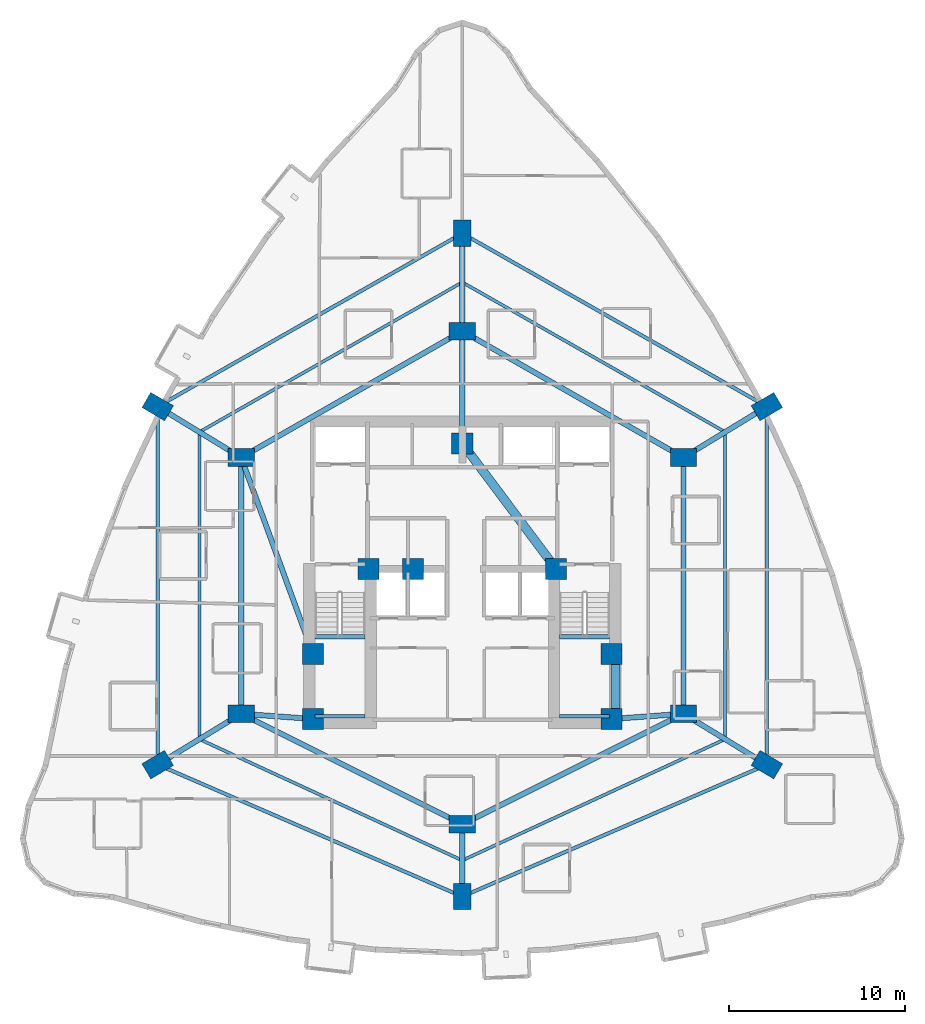
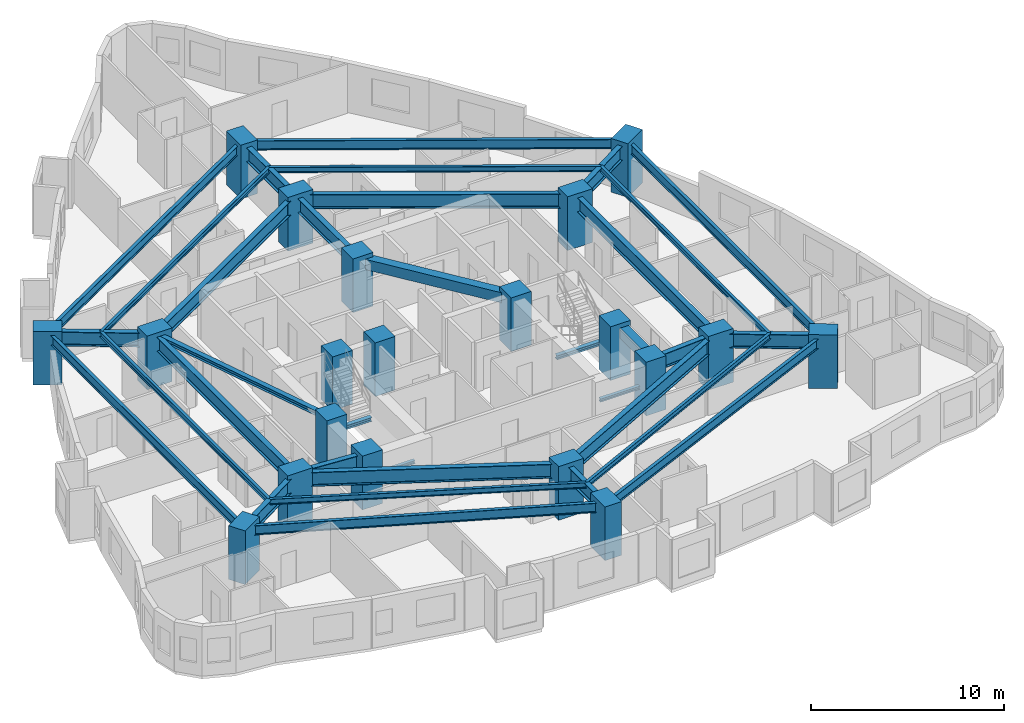
# One storey, part 1 of 15: 34 beams, 20 columns.
"""IFC4 building model written with IfcOpenShell, lengths in metres."""

from ifc_helpers import new_model, si_unit, direction, frame, origin, origin_2d, place, context, subcontext, project, spatial, rectangle, i_section, extrude, material, material_profile, profile_set, type_object, element, save


model = new_model("IFC4")

# Units and contexts
model_context = context("Model", 3, precision=1e-05, world=origin(), true_north=direction((0.0, 1.0)))
body_context = subcontext(model_context, "Body", "Model", "MODEL_VIEW")
ifc_project = project(units=[si_unit("LENGTHUNIT", "METRE"), si_unit("AREAUNIT", "SQUARE_METRE"), si_unit("VOLUMEUNIT", "CUBIC_METRE"), si_unit("PLANEANGLEUNIT", "RADIAN"), si_unit("MASSUNIT", "GRAM", prefix="KILO")], contexts=[model_context])

# Site, building, storey
site_placement = place(None, origin())
site = spatial("IfcSite", under=ifc_project, at=site_placement, CompositionType="ELEMENT")
building_placement = place(site_placement, origin())
building = spatial("IfcBuilding", under=site, at=building_placement, Name="Miruveldt Soraemaru", CompositionType="ELEMENT")
storey_placement = place(building_placement, frame((0.0, 0.0, 32.60009765625)))
storey = spatial("IfcBuildingStorey", under=building, at=storey_placement, Name="L08", CompositionType="ELEMENT", Elevation=32.60009765625)

# Columns
ifc_material_1 = material(Name="Concrete C70/85 (70 MPa)", Category="concrete")
ifc_material_profile_1 = material_profile(ifc_material_1, rectangle(XDim=1.199951171875, YDim=1.199951171875, at=origin_2d()), Name="Concrete C70/85 (70 MPa)", Category="concrete")
ifc_profile_set_1 = profile_set([ifc_material_profile_1], Name="Concrete C70/85 (70 MPa)")
column_type_1 = type_object("IfcColumnType", Name="COL-CORE-1200", PredefinedType="COLUMN", material=ifc_profile_set_1)
for number, where, z_axis, x_axis, name in (
    (1, (35.5, 35.5, 0.0), (0.0, 0.0, 1.0), (1.0, 0.0, 0.0), "L08 Structural Column CC1"),
    (2, (38.64990234375, 44.050048828125, 0.0), (0.0, 0.0, 1.0), (1.0, 0.0, 0.0), "L08 Structural Column CC2"),
    (3, (52.5, 35.5, 0.0), (0.0, 0.0, 1.0), (1.0, 0.0, 0.0), "L08 Structural Column CC3"),
    (4, (52.5, 39.199951171875, 0.0), (0.0, 0.0, 1.0), (1.0, 0.0, 0.0), "L08 Structural Column CC4"),
    (5, (49.35009765625, 44.050048828125, 0.0), (0.0, 0.0, 1.0), (1.0, 0.0, 0.0), "L08 Structural Column CC5"),
    (6, (44.0, 51.199951171875, 0.0), (0.0, 0.0, 1.0), (1.0, 0.0, 0.0), "L08 Structural Column CC6"),
    (7, (35.5, 39.199951171875, 0.0), (0.0, 0.0, 1.0), (1.0, 0.0, 0.0), "L08 Structural Column CC7"),
    (8, (41.199951171875, 44.050048828125, 0.0), (0.0, 0.0, 1.0), (1.0, 0.0, 0.0), "L08 Structural Column CC8"),
):
    element("IfcColumn", number, at=place(storey_placement, frame(where, z_axis=z_axis, x_axis=x_axis)), inside=storey, type_object=column_type_1, Name=name, PredefinedType="COLUMN", context=body_context, shape_type="SweptSolid", body=[
        extrude(rectangle(XDim=1.199951171875, YDim=1.199951171875, at=origin_2d()), origin(), (0.0, 0.0, 1.0), 3.39990234375),
    ])
ifc_material_2 = material(Name="Concrete C80/95 (80 MPa)", Category="concrete")
ifc_material_profile_2 = material_profile(ifc_material_2, rectangle(XDim=1.5, YDim=1.0, at=origin_2d()), Name="Concrete C80/95 (80 MPa)", Category="concrete")
ifc_profile_set_2 = profile_set([ifc_material_profile_2], Name="Concrete C80/95 (80 MPa)")
column_type_2 = type_object("IfcColumnType", Name="COL-TW-Z1A", PredefinedType="COLUMN", material=ifc_profile_set_2)
for number, where, z_axis, x_axis, name in (
    (9, (44.0, 57.60009765625, 0.0), (0.0, 0.0, 1.0), (1.0, 0.0, 0.0), "L08 Structural Column IR01"),
    (10, (56.60009765625, 50.39990234375, 0.0), (0.0, 0.0, 1.0), (1.0, 0.0, 0.0), "L08 Structural Column IR02"),
    (11, (56.60009765625, 35.800048828125, 0.0), (0.0, 0.0, 1.0), (1.0, 0.0, 0.0), "L08 Structural Column IR03"),
    (12, (44.0, 29.5, 0.0), (0.0, 0.0, 1.0), (1.0, 0.0, 0.0), "L08 Structural Column IR04"),
    (13, (31.39990234375, 35.800048828125, 0.0), (0.0, 0.0, 1.0), (1.0, 0.0, 0.0), "L08 Structural Column IR05"),
    (14, (31.39990234375, 50.39990234375, 0.0), (0.0, 0.0, 1.0), (1.0, 0.0, 0.0), "L08 Structural Column IR06"),
    (15, (44.0, 63.16796875, 0.0), (0.0, 0.0, 1.0), (0.0, 1.0, 0.0), "L08 Structural Column Z1P01"),
    (16, (61.35595703125, 53.300048828125, 0.0), (0.0, 0.0, 1.0), (0.864274801954, 0.50301994663, 0.0), "L08 Structural Column Z1P02"),
    (17, (61.35595703125, 32.89990234375, 0.0), (0.0, 0.0, 1.0), (-0.859852271597, 0.510542917912, 0.0), "L08 Structural Column Z1P03"),
    (18, (44.0, 25.382080078125, 0.0), (0.0, 0.0, 1.0), (0.0, 1.0, 0.0), "L08 Structural Column Z1P04"),
    (19, (26.64404296875, 32.89990234375, 0.0), (0.0, 0.0, 1.0), (0.859852271597, 0.510542917912, 0.0), "L08 Structural Column Z1P05"),
    (20, (26.64404296875, 53.300048828125, 0.0), (0.0, 0.0, 1.0), (-0.864274801954, 0.50301994663, 0.0), "L08 Structural Column Z1P06"),
):
    element("IfcColumn", number, at=place(storey_placement, frame(where, z_axis=z_axis, x_axis=x_axis)), inside=storey, type_object=column_type_2, Name=name, PredefinedType="COLUMN", context=body_context, shape_type="SweptSolid", body=[
        extrude(rectangle(XDim=1.5, YDim=1.0, at=origin_2d()), origin(), (0.0, 0.0, 1.0), 3.39990234375),
    ])

# Beams
ifc_material_3 = material(Name="Steel SM355 (355 MPa)", Category="steel")
ifc_material_profile_3 = material_profile(ifc_material_3, i_section(OverallWidth=0.300048828125, OverallDepth=0.300048828125, WebThickness=0.010009765625, FlangeThickness=0.014892578125, FilletRadius=0.01806640625, at=origin_2d()), Name="Steel SM355 (355 MPa)", Category="steel")
ifc_profile_set_3 = profile_set([ifc_material_profile_3], Name="Steel SM355 (355 MPa)")
beam_type_1 = type_object("IfcBeamType", Name="BM-LNT-H300", PredefinedType="LINTEL", material=ifc_profile_set_3)
beam_1_placement = place(storey_placement, frame((31.39990234375, 50.39990234375, 2.974853515625), z_axis=(0.343770424598, -0.939053723262, 0.0), x_axis=(0.939053723262, 0.343770424598, 0.0)))
element("IfcBeam", 21, at=beam_1_placement, inside=storey, type_object=beam_type_1, Name="L08 West Lobby Lintel", PredefinedType="LINTEL", context=body_context, shape_type="SweptSolid", body=[
    extrude(i_section(OverallWidth=0.300048828125, OverallDepth=0.300048828125, WebThickness=0.010009765625, FlangeThickness=0.014892578125, FilletRadius=0.01806640625, at=origin_2d()), origin(), (0.0, 0.0, 1.0), 11.9267578125),
])
ifc_material_4 = material(Name="Concrete C50/60 (50 MPa)", Category="concrete")
ifc_material_profile_4 = material_profile(ifc_material_4, rectangle(XDim=0.5, YDim=0.64990234375, at=origin_2d()), Name="Concrete C50/60 (50 MPa)", Category="concrete")
ifc_profile_set_4 = profile_set([ifc_material_profile_4], Name="Concrete C50/60 (50 MPa)")
beam_type_2 = type_object("IfcBeamType", Name="BM-RC-500x650", PredefinedType="BEAM", material=ifc_profile_set_4)
beam_2_placement = place(storey_placement, frame((52.72998046875, 35.5, 2.7998046875), z_axis=(0.0, 1.0, 0.0), x_axis=(-1.0, 0.0, 0.0)))
element("IfcBeam", 22, at=beam_2_placement, inside=storey, type_object=beam_type_2, Name="L08 Core Tie Beam 3", PredefinedType="BEAM", context=body_context, shape_type="SweptSolid", body=[
    extrude(rectangle(XDim=0.5, YDim=0.64990234375, at=origin_2d()), origin(), (0.0, 0.0, 1.0), 3.699951171875),
])
beam_3_placement = place(storey_placement, frame((49.35009765625, 44.050048828125, 2.7998046875), z_axis=(-0.599116023999, 0.800662219533, 0.0), x_axis=(-0.800662219533, -0.599116023999, 0.0)))
element("IfcBeam", 23, at=beam_3_placement, inside=storey, type_object=beam_type_2, Name="L08 Core Tie Beam 5", PredefinedType="BEAM", context=body_context, shape_type="SweptSolid", body=[
    extrude(rectangle(XDim=0.5, YDim=0.64990234375, at=origin_2d()), origin(), (0.0, 0.0, 1.0), 8.929931640625),
])
ifc_material_profile_5 = material_profile(ifc_material_3, i_section(OverallWidth=0.175048828125, OverallDepth=0.35009765625, WebThickness=0.007080078125, FlangeThickness=0.010986328125, FilletRadius=0.013916015625, at=origin_2d()), Name="Steel SM355 (355 MPa)", Category="steel")
ifc_profile_set_5 = profile_set([ifc_material_profile_5], Name="Steel SM355 (355 MPa)")
beam_type_3 = type_object("IfcBeamType", Name="BM-ST-H350", PredefinedType="JOIST", material=ifc_profile_set_5)
beam_4_placement = place(storey_placement, frame((44.0, 60.384033203125, 2.949951171875), z_axis=(0.868865604585, -0.495048039254, 0.0), x_axis=(0.495048039254, 0.868865604585, 0.0)))
element("IfcBeam", 24, at=beam_4_placement, inside=storey, type_object=beam_type_3, Name="L08 Outer Bay Floor Joist 1", PredefinedType="JOIST", context=body_context, shape_type="SweptSolid", body=[
    extrude(i_section(OverallWidth=0.175048828125, OverallDepth=0.35009765625, WebThickness=0.007080078125, FlangeThickness=0.010986328125, FilletRadius=0.013916015625, at=origin_2d()), origin(), (0.0, 0.0, 1.0), 17.238525390625),
])
beam_5_placement = place(storey_placement, frame((58.97802734375, 51.85009765625, 2.949951171875), z_axis=(0.0, -1.0, 0.0), x_axis=(1.0, 0.0, 0.0)))
element("IfcBeam", 25, at=beam_5_placement, inside=storey, type_object=beam_type_3, Name="L08 Outer Bay Floor Joist 2", PredefinedType="JOIST", context=body_context, shape_type="SweptSolid", body=[
    extrude(i_section(OverallWidth=0.175048828125, OverallDepth=0.35009765625, WebThickness=0.007080078125, FlangeThickness=0.010986328125, FilletRadius=0.013916015625, at=origin_2d()), origin(), (0.0, 0.0, 1.0), 17.5),
])
for number, where, z_axis, x_axis, name in (
    (26, (58.97802734375, 34.35009765625, 2.949951171875), (-0.908046005539, -0.418870447543, 0.0), (0.418870447543, -0.908046005539, 0.0), "L08 Outer Bay Floor Joist 3"),
    (27, (44.0, 27.44091796875, 2.949951171875), (-0.908046005539, 0.418870447543, 0.0), (-0.418870447543, -0.908046005539, 0.0), "L08 Outer Bay Floor Joist 4"),
):
    element("IfcBeam", number, at=place(storey_placement, frame(where, z_axis=z_axis, x_axis=x_axis)), inside=storey, type_object=beam_type_3, Name=name, PredefinedType="JOIST", context=body_context, shape_type="SweptSolid", body=[
        extrude(i_section(OverallWidth=0.175048828125, OverallDepth=0.35009765625, WebThickness=0.007080078125, FlangeThickness=0.010986328125, FilletRadius=0.013916015625, at=origin_2d()), origin(), (0.0, 0.0, 1.0), 16.494873046875),
    ])
beam_6_placement = place(storey_placement, frame((29.02197265625, 34.35009765625, 2.949951171875), z_axis=(0.0, 1.0, 0.0), x_axis=(-1.0, 0.0, 0.0)))
element("IfcBeam", 28, at=beam_6_placement, inside=storey, type_object=beam_type_3, Name="L08 Outer Bay Floor Joist 5", PredefinedType="JOIST", context=body_context, shape_type="SweptSolid", body=[
    extrude(i_section(OverallWidth=0.175048828125, OverallDepth=0.35009765625, WebThickness=0.007080078125, FlangeThickness=0.010986328125, FilletRadius=0.013916015625, at=origin_2d()), origin(), (0.0, 0.0, 1.0), 17.5),
])
beam_7_placement = place(storey_placement, frame((29.02197265625, 51.85009765625, 2.949951171875), z_axis=(0.868865604585, 0.495048039254, 0.0), x_axis=(-0.495048039254, 0.868865604585, 0.0)))
element("IfcBeam", 29, at=beam_7_placement, inside=storey, type_object=beam_type_3, Name="L08 Outer Bay Floor Joist 6", PredefinedType="JOIST", context=body_context, shape_type="SweptSolid", body=[
    extrude(i_section(OverallWidth=0.175048828125, OverallDepth=0.35009765625, WebThickness=0.007080078125, FlangeThickness=0.010986328125, FilletRadius=0.013916015625, at=origin_2d()), origin(), (0.0, 0.0, 1.0), 17.238525390625),
])
ifc_material_profile_6 = material_profile(ifc_material_3, i_section(OverallWidth=0.199951171875, OverallDepth=0.60009765625, WebThickness=0.010986328125, FlangeThickness=0.01708984375, FilletRadius=0.02197265625, at=origin_2d()), Name="Steel SM355 (355 MPa)", Category="steel")
ifc_profile_set_6 = profile_set([ifc_material_profile_6], Name="Steel SM355 (355 MPa)")
beam_type_4 = type_object("IfcBeamType", Name="BM-ST-H600", PredefinedType="SPANDREL", material=ifc_profile_set_6)
beam_8_placement = place(storey_placement, frame((44.0, 63.16796875, 2.824951171875), z_axis=(0.869314947608, -0.494258557706, 0.0), x_axis=(0.494258557706, 0.869314947608, 0.0)))
element("IfcBeam", 30, at=beam_8_placement, inside=storey, type_object=beam_type_4, Name="L08 Zone-1 Spandrel Beam 1", PredefinedType="SPANDREL", context=body_context, shape_type="SweptSolid", body=[
    extrude(i_section(OverallWidth=0.199951171875, OverallDepth=0.60009765625, WebThickness=0.010986328125, FlangeThickness=0.01708984375, FilletRadius=0.02197265625, at=origin_2d()), origin(), (0.0, 0.0, 1.0), 19.965087890625),
])
beam_9_placement = place(storey_placement, frame((61.35595703125, 53.300048828125, 2.824951171875), z_axis=(0.0, -1.0, 0.0), x_axis=(1.0, 0.0, 0.0)))
element("IfcBeam", 31, at=beam_9_placement, inside=storey, type_object=beam_type_4, Name="L08 Zone-1 Spandrel Beam 2", PredefinedType="SPANDREL", context=body_context, shape_type="SweptSolid", body=[
    extrude(i_section(OverallWidth=0.199951171875, OverallDepth=0.60009765625, WebThickness=0.010986328125, FlangeThickness=0.01708984375, FilletRadius=0.02197265625, at=origin_2d()), origin(), (0.0, 0.0, 1.0), 20.400146484375),
])
for number, where, z_axis, x_axis, name in (
    (32, (61.35595703125, 32.89990234375, 2.824951171875), (-0.917615263736, -0.397469782195, 0.0), (0.397469782195, -0.917615263736, 0.0), "L08 Zone-1 Spandrel Beam 3"),
    (33, (44.0, 25.382080078125, 2.824951171875), (-0.917615263736, 0.397469782195, 0.0), (-0.397469782195, -0.917615263736, 0.0), "L08 Zone-1 Spandrel Beam 4"),
):
    element("IfcBeam", number, at=place(storey_placement, frame(where, z_axis=z_axis, x_axis=x_axis)), inside=storey, type_object=beam_type_4, Name=name, PredefinedType="SPANDREL", context=body_context, shape_type="SweptSolid", body=[
        extrude(i_section(OverallWidth=0.199951171875, OverallDepth=0.60009765625, WebThickness=0.010986328125, FlangeThickness=0.01708984375, FilletRadius=0.02197265625, at=origin_2d()), origin(), (0.0, 0.0, 1.0), 18.914306640625),
    ])
beam_10_placement = place(storey_placement, frame((26.64404296875, 32.89990234375, 2.824951171875), z_axis=(0.0, 1.0, 0.0), x_axis=(-1.0, 0.0, 0.0)))
element("IfcBeam", 34, at=beam_10_placement, inside=storey, type_object=beam_type_4, Name="L08 Zone-1 Spandrel Beam 5", PredefinedType="SPANDREL", context=body_context, shape_type="SweptSolid", body=[
    extrude(i_section(OverallWidth=0.199951171875, OverallDepth=0.60009765625, WebThickness=0.010986328125, FlangeThickness=0.01708984375, FilletRadius=0.02197265625, at=origin_2d()), origin(), (0.0, 0.0, 1.0), 20.400146484375),
])
beam_11_placement = place(storey_placement, frame((26.64404296875, 53.300048828125, 2.824951171875), z_axis=(0.869314947608, 0.494258557706, 0.0), x_axis=(-0.494258557706, 0.869314947608, 0.0)))
element("IfcBeam", 35, at=beam_11_placement, inside=storey, type_object=beam_type_4, Name="L08 Zone-1 Spandrel Beam 6", PredefinedType="SPANDREL", context=body_context, shape_type="SweptSolid", body=[
    extrude(i_section(OverallWidth=0.199951171875, OverallDepth=0.60009765625, WebThickness=0.010986328125, FlangeThickness=0.01708984375, FilletRadius=0.02197265625, at=origin_2d()), origin(), (0.0, 0.0, 1.0), 19.965087890625),
])
ifc_material_5 = material(Name="Steel S460 (460 MPa)", Category="steel")
ifc_material_profile_7 = material_profile(ifc_material_5, i_section(OverallWidth=0.300048828125, OverallDepth=0.89990234375, WebThickness=0.01611328125, FlangeThickness=0.028076171875, FilletRadius=0.028076171875, at=origin_2d()), Name="Steel S460 (460 MPa)", Category="steel")
ifc_profile_set_7 = profile_set([ifc_material_profile_7], Name="Steel S460 (460 MPa)")
beam_type_5 = type_object("IfcBeamType", Name="BM-ST-H900", PredefinedType="BEAM", material=ifc_profile_set_7)
beam_12_placement = place(storey_placement, frame((44.0, 57.60009765625, 2.6748046875), z_axis=(0.868239001029, -0.496146185203, 0.0), x_axis=(0.496146185203, 0.868239001029, 0.0)))
element("IfcBeam", 36, at=beam_12_placement, inside=storey, type_object=beam_type_5, Name="L08 Inner Ring Girder 1", PredefinedType="BEAM", context=body_context, shape_type="SweptSolid", body=[
    extrude(i_section(OverallWidth=0.300048828125, OverallDepth=0.89990234375, WebThickness=0.01611328125, FlangeThickness=0.028076171875, FilletRadius=0.028076171875, at=origin_2d()), origin(), (0.0, 0.0, 1.0), 14.51220703125),
])
beam_13_placement = place(storey_placement, frame((44.0, 51.199951171875, 2.6748046875), z_axis=(0.0, 1.0, 0.0), x_axis=(-1.0, 0.0, 0.0)))
element("IfcBeam", 37, at=beam_13_placement, inside=storey, type_object=beam_type_5, Name="L08 Core-to-Inner Radial Girder 1", PredefinedType="BEAM", context=body_context, shape_type="SweptSolid", body=[
    extrude(i_section(OverallWidth=0.300048828125, OverallDepth=0.89990234375, WebThickness=0.01611328125, FlangeThickness=0.028076171875, FilletRadius=0.028076171875, at=origin_2d()), origin(), (0.0, 0.0, 1.0), 6.400146484375),
])
beam_14_placement = place(storey_placement, frame((56.60009765625, 50.39990234375, 2.6748046875), z_axis=(0.0, -1.0, 0.0), x_axis=(1.0, 0.0, 0.0)))
element("IfcBeam", 38, at=beam_14_placement, inside=storey, type_object=beam_type_5, Name="L08 Inner Ring Girder 2", PredefinedType="BEAM", context=body_context, shape_type="SweptSolid", body=[
    extrude(i_section(OverallWidth=0.300048828125, OverallDepth=0.89990234375, WebThickness=0.01611328125, FlangeThickness=0.028076171875, FilletRadius=0.028076171875, at=origin_2d()), origin(), (0.0, 0.0, 1.0), 14.599853515625),
])
beam_15_placement = place(storey_placement, frame((56.60009765625, 35.800048828125, 2.6748046875), z_axis=(-0.894427191, -0.4472135955, 0.0), x_axis=(0.4472135955, -0.894427191, 0.0)))
element("IfcBeam", 39, at=beam_15_placement, inside=storey, type_object=beam_type_5, Name="L08 Inner Ring Girder 3", PredefinedType="BEAM", context=body_context, shape_type="SweptSolid", body=[
    extrude(i_section(OverallWidth=0.300048828125, OverallDepth=0.89990234375, WebThickness=0.01611328125, FlangeThickness=0.028076171875, FilletRadius=0.028076171875, at=origin_2d()), origin(), (0.0, 0.0, 1.0), 14.08740234375),
])
beam_16_placement = place(storey_placement, frame((52.5, 35.5, 2.6748046875), z_axis=(0.997332985605, 0.072985723431, 0.0), x_axis=(-0.072985723431, 0.997332985605, 0.0)))
element("IfcBeam", 40, at=beam_16_placement, inside=storey, type_object=beam_type_5, Name="L08 Core-to-Inner Radial Girder 3", PredefinedType="BEAM", context=body_context, shape_type="SweptSolid", body=[
    extrude(i_section(OverallWidth=0.300048828125, OverallDepth=0.89990234375, WebThickness=0.01611328125, FlangeThickness=0.028076171875, FilletRadius=0.028076171875, at=origin_2d()), origin(), (0.0, 0.0, 1.0), 4.111083984375),
])
beam_17_placement = place(storey_placement, frame((44.0, 29.5, 2.6748046875), z_axis=(-0.894427191, 0.4472135955, 0.0), x_axis=(-0.4472135955, -0.894427191, 0.0)))
element("IfcBeam", 41, at=beam_17_placement, inside=storey, type_object=beam_type_5, Name="L08 Inner Ring Girder 4", PredefinedType="BEAM", context=body_context, shape_type="SweptSolid", body=[
    extrude(i_section(OverallWidth=0.300048828125, OverallDepth=0.89990234375, WebThickness=0.01611328125, FlangeThickness=0.028076171875, FilletRadius=0.028076171875, at=origin_2d()), origin(), (0.0, 0.0, 1.0), 14.08740234375),
])
beam_18_placement = place(storey_placement, frame((31.39990234375, 35.800048828125, 2.6748046875), z_axis=(0.0, 1.0, 0.0), x_axis=(-1.0, 0.0, 0.0)))
element("IfcBeam", 42, at=beam_18_placement, inside=storey, type_object=beam_type_5, Name="L08 Inner Ring Girder 5", PredefinedType="BEAM", context=body_context, shape_type="SweptSolid", body=[
    extrude(i_section(OverallWidth=0.300048828125, OverallDepth=0.89990234375, WebThickness=0.01611328125, FlangeThickness=0.028076171875, FilletRadius=0.028076171875, at=origin_2d()), origin(), (0.0, 0.0, 1.0), 14.599853515625),
])
beam_19_placement = place(storey_placement, frame((35.5, 35.5, 2.6748046875), z_axis=(-0.997332985605, 0.072985723431, 0.0), x_axis=(-0.072985723431, -0.997332985605, 0.0)))
element("IfcBeam", 43, at=beam_19_placement, inside=storey, type_object=beam_type_5, Name="L08 Core-to-Inner Radial Girder 5", PredefinedType="BEAM", context=body_context, shape_type="SweptSolid", body=[
    extrude(i_section(OverallWidth=0.300048828125, OverallDepth=0.89990234375, WebThickness=0.01611328125, FlangeThickness=0.028076171875, FilletRadius=0.028076171875, at=origin_2d()), origin(), (0.0, 0.0, 1.0), 4.111083984375),
])
beam_20_placement = place(storey_placement, frame((31.39990234375, 50.39990234375, 2.6748046875), z_axis=(0.868239001029, 0.496146185203, 0.0), x_axis=(-0.496146185203, 0.868239001029, 0.0)))
element("IfcBeam", 44, at=beam_20_placement, inside=storey, type_object=beam_type_5, Name="L08 Inner Ring Girder 6", PredefinedType="BEAM", context=body_context, shape_type="SweptSolid", body=[
    extrude(i_section(OverallWidth=0.300048828125, OverallDepth=0.89990234375, WebThickness=0.01611328125, FlangeThickness=0.028076171875, FilletRadius=0.028076171875, at=origin_2d()), origin(), (0.0, 0.0, 1.0), 14.51220703125),
])
beam_21_placement = place(storey_placement, frame((44.0, 57.60009765625, 2.6748046875), z_axis=(0.0, 1.0, 0.0), x_axis=(-1.0, 0.0, 0.0)))
element("IfcBeam", 45, at=beam_21_placement, inside=storey, type_object=beam_type_5, Name="L08 Zone-1 Radial Girder 1", PredefinedType="BEAM", context=body_context, shape_type="SweptSolid", body=[
    extrude(i_section(OverallWidth=0.300048828125, OverallDepth=0.89990234375, WebThickness=0.01611328125, FlangeThickness=0.028076171875, FilletRadius=0.028076171875, at=origin_2d()), origin(), (0.0, 0.0, 1.0), 5.56787109375),
])
for number, where, z_axis, x_axis, name in (
    (46, (56.60009765625, 50.39990234375, 2.6748046875), (0.853777644156, 0.520637814935, 0.0), (-0.520637814935, 0.853777644156, 0.0), "L08 Zone-1 Radial Girder 2"),
    (47, (56.60009765625, 35.800048828125, 2.6748046875), (0.853777644156, -0.520637814935, 0.0), (0.520637814935, 0.853777644156, 0.0), "L08 Zone-1 Radial Girder 3"),
):
    element("IfcBeam", number, at=place(storey_placement, frame(where, z_axis=z_axis, x_axis=x_axis)), inside=storey, type_object=beam_type_5, Name=name, PredefinedType="BEAM", context=body_context, shape_type="SweptSolid", body=[
        extrude(i_section(OverallWidth=0.300048828125, OverallDepth=0.89990234375, WebThickness=0.01611328125, FlangeThickness=0.028076171875, FilletRadius=0.028076171875, at=origin_2d()), origin(), (0.0, 0.0, 1.0), 5.5703125),
    ])
beam_22_placement = place(storey_placement, frame((44.0, 29.5, 2.6748046875), z_axis=(0.0, -1.0, 0.0), x_axis=(1.0, 0.0, 0.0)))
element("IfcBeam", 48, at=beam_22_placement, inside=storey, type_object=beam_type_5, Name="L08 Zone-1 Radial Girder 4", PredefinedType="BEAM", context=body_context, shape_type="SweptSolid", body=[
    extrude(i_section(OverallWidth=0.300048828125, OverallDepth=0.89990234375, WebThickness=0.01611328125, FlangeThickness=0.028076171875, FilletRadius=0.028076171875, at=origin_2d()), origin(), (0.0, 0.0, 1.0), 4.117919921875),
])
for number, where, z_axis, x_axis, name in (
    (49, (31.39990234375, 35.800048828125, 2.6748046875), (-0.853777644156, -0.520637814935, 0.0), (0.520637814935, -0.853777644156, 0.0), "L08 Zone-1 Radial Girder 5"),
    (50, (31.39990234375, 50.39990234375, 2.6748046875), (-0.853777644156, 0.520637814935, 0.0), (-0.520637814935, -0.853777644156, 0.0), "L08 Zone-1 Radial Girder 6"),
):
    element("IfcBeam", number, at=place(storey_placement, frame(where, z_axis=z_axis, x_axis=x_axis)), inside=storey, type_object=beam_type_5, Name=name, PredefinedType="BEAM", context=body_context, shape_type="SweptSolid", body=[
        extrude(i_section(OverallWidth=0.300048828125, OverallDepth=0.89990234375, WebThickness=0.01611328125, FlangeThickness=0.028076171875, FilletRadius=0.028076171875, at=origin_2d()), origin(), (0.0, 0.0, 1.0), 5.5703125),
    ])
ifc_material_profile_8 = material_profile(ifc_material_3, i_section(OverallWidth=0.199951171875, OverallDepth=0.199951171875, WebThickness=0.008056640625, FlangeThickness=0.011962890625, FilletRadius=0.012939453125, at=origin_2d()), Name="Steel SM355 (355 MPa)", Category="steel")
ifc_profile_set_8 = profile_set([ifc_material_profile_8], Name="Steel SM355 (355 MPa)")
beam_type_6 = type_object("IfcBeamType", Name="BM-ST-LND200", PredefinedType="BEAM", material=ifc_profile_set_8)
for number, where, z_axis, x_axis, name in (
    (51, (35.60009765625, 35.64990234375, 1.39990234375), (1.0, 0.0, 0.0), (0.0, 1.0, 0.0), "L08 ST1 Landing End Beam 1B"),
    (52, (49.550048828125, 35.64990234375, 1.39990234375), (1.0, 0.0, 0.0), (0.0, 1.0, 0.0), "L08 ST2 Landing End Beam 1B"),
):
    element("IfcBeam", number, at=place(storey_placement, frame(where, z_axis=z_axis, x_axis=x_axis)), inside=storey, type_object=beam_type_6, Name=name, PredefinedType="BEAM", context=body_context, shape_type="SweptSolid", body=[
        extrude(i_section(OverallWidth=0.199951171875, OverallDepth=0.199951171875, WebThickness=0.008056640625, FlangeThickness=0.011962890625, FilletRadius=0.012939453125, at=origin_2d()), origin(), (0.0, 0.0, 1.0), 2.849853515625),
    ])
ifc_material_profile_9 = material_profile(ifc_material_3, i_section(OverallWidth=0.25, OverallDepth=0.25, WebThickness=0.009033203125, FlangeThickness=0.013916015625, FilletRadius=0.01611328125, at=origin_2d()), Name="Steel SM355 (355 MPa)", Category="steel")
ifc_profile_set_9 = profile_set([ifc_material_profile_9], Name="Steel SM355 (355 MPa)")
beam_type_7 = type_object("IfcBeamType", Name="BM-ST-LND250", PredefinedType="BEAM", material=ifc_profile_set_9)
for number, where, z_axis, x_axis, name in (
    (53, (35.60009765625, 40.179931640625, 1.375), (1.0, 0.0, 0.0), (0.0, 1.0, 0.0), "L08 ST1 Landing Support Beam 1A"),
    (54, (49.550048828125, 40.179931640625, 1.375), (1.0, 0.0, 0.0), (0.0, 1.0, 0.0), "L08 ST2 Landing Support Beam 1A"),
):
    element("IfcBeam", number, at=place(storey_placement, frame(where, z_axis=z_axis, x_axis=x_axis)), inside=storey, type_object=beam_type_7, Name=name, PredefinedType="BEAM", context=body_context, shape_type="SweptSolid", body=[
        extrude(i_section(OverallWidth=0.25, OverallDepth=0.25, WebThickness=0.009033203125, FlangeThickness=0.013916015625, FilletRadius=0.01611328125, at=origin_2d()), origin(), (0.0, 0.0, 1.0), 2.849853515625),
    ])

save(model, "model.ifc")
